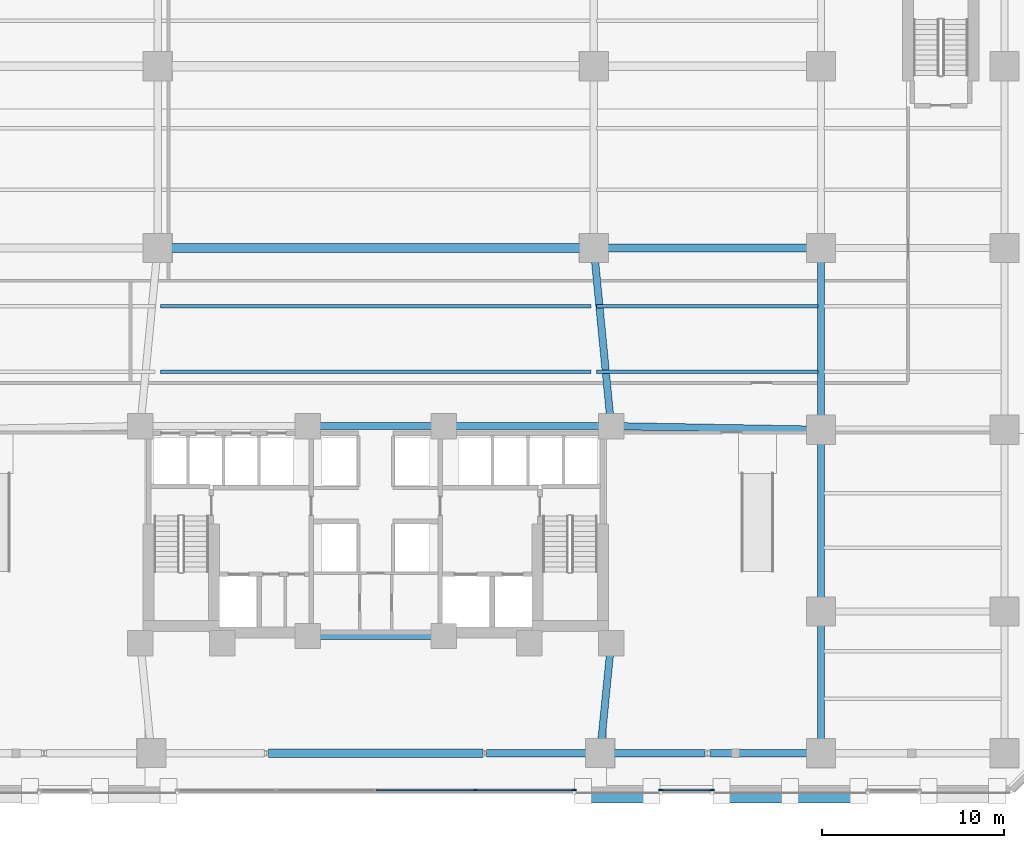
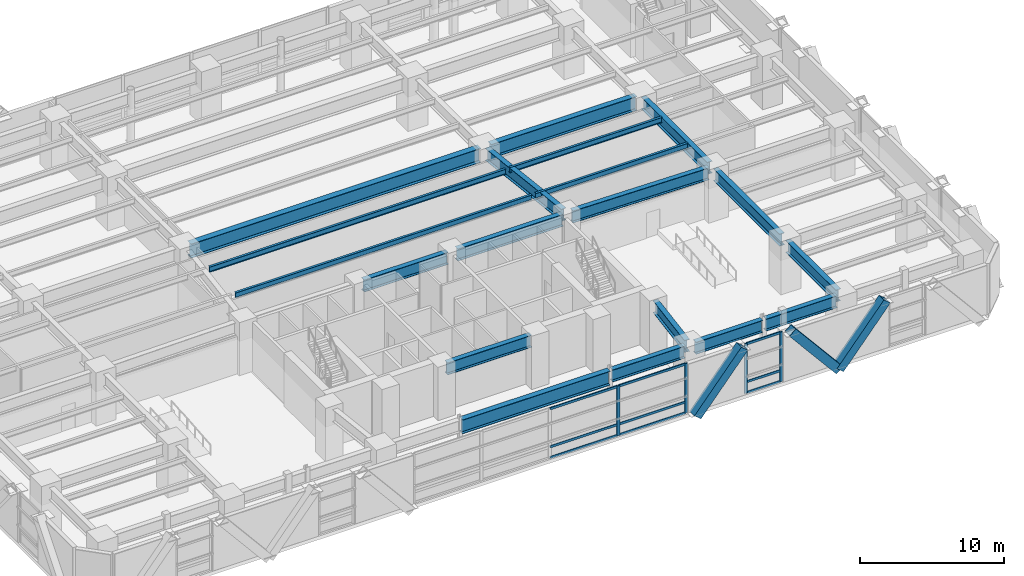
# One storey, part 7 of 26: 19 beams, 16 members, 2 elements without a shape of their own.
"""IFC4 building model written with IfcOpenShell, lengths in metres."""

from ifc_helpers import new_model, si_unit, direction, frame, origin, origin_2d, place, context, subcontext, project, spatial, rectangle, hollow_rectangle, i_section, extrude, material, material_profile, profile_set, type_object, element, aggregate, save


model = new_model("IFC4")

# Units and contexts
model_context = context("Model", 3, precision=1e-05, world=origin(), true_north=direction((0.0, 1.0)))
body_context = subcontext(model_context, "Body", "Model", "MODEL_VIEW")
ifc_project = project(units=[si_unit("LENGTHUNIT", "METRE"), si_unit("AREAUNIT", "SQUARE_METRE"), si_unit("VOLUMEUNIT", "CUBIC_METRE"), si_unit("PLANEANGLEUNIT", "RADIAN"), si_unit("MASSUNIT", "GRAM", prefix="KILO")], contexts=[model_context])

# Site, building, storey
site_placement = place(None, origin())
site = spatial("IfcSite", under=ifc_project, at=site_placement, CompositionType="ELEMENT")
building_placement = place(site_placement, origin())
building = spatial("IfcBuilding", under=site, at=building_placement, Name="Quenlor Broadcast Tower", CompositionType="ELEMENT")
storey_placement = place(building_placement, frame((0.0, 0.0, 5.0)))
storey = spatial("IfcBuildingStorey", under=building, at=storey_placement, Name="L01", CompositionType="ELEMENT", Elevation=5.0)

# Curtain wall, members
ifc_material_1 = material(Name="Architectural Terracotta and Low-E Glazing", Category="masonry")
curtain_wall_type = type_object("IfcCurtainWallType", Name="Station Concourse and Crown Terracotta Curtain Wall", PredefinedType="NOTDEFINED", material=ifc_material_1)
curtain_wall_1_placement = place(storey_placement, origin())
curtain_wall_1 = element("IfcCurtainWall", 1, at=curtain_wall_1_placement, inside=storey, type_object=curtain_wall_type, Name="L01 Curtain Wall CW6 (L01-S-FULL-G2)", PredefinedType="NOTDEFINED")
ifc_material_2 = material(Name="Aluminium 6063-T6", Category="aluminium")
ifc_material_profile_1 = material_profile(ifc_material_2, rectangle(XDim=0.08203125, YDim=0.239990234375, at=origin_2d()))
ifc_profile_set_1 = profile_set([ifc_material_profile_1], Name="Aluminium 6063-T6 MULL82x240")
member_type_1 = type_object("IfcMemberType", Name="CW6 Aluminium Mullion MULL_CW6", PredefinedType="MULLION", material=ifc_profile_set_1)
member_1_placement = place(storey_placement, frame((18.509521484375, -24.820068359375, 0.0), z_axis=(0.0, 0.0, 1.0), x_axis=(0.0, -1.0, 0.0)))
member_1 = element("IfcMember", 2, at=member_1_placement, type_object=member_type_1, Name="CW6 mullion 1", PredefinedType="MULLION", context=body_context, shape_type="SweptSolid", body=[
    extrude(rectangle(XDim=0.08203125, YDim=0.239990234375, at=origin_2d()), origin(), (0.0, 0.0, 1.0), 4.199951171875),
])
member_2_placement = place(storey_placement, frame((15.6904296875, -24.820068359375, 0.0), z_axis=(0.0, 0.0, 1.0), x_axis=(0.0, -1.0, 0.0)))
member_2 = element("IfcMember", 3, at=member_2_placement, type_object=member_type_1, Name="CW6 mullion 2", PredefinedType="MULLION", context=body_context, shape_type="SweptSolid", body=[
    extrude(rectangle(XDim=0.08203125, YDim=0.239990234375, at=origin_2d()), origin(), (0.0, 0.0, 1.0), 4.199951171875),
])

curtain_wall_2_placement = place(storey_placement, origin())
curtain_wall_2 = element("IfcCurtainWall", 4, at=curtain_wall_2_placement, inside=storey, type_object=curtain_wall_type, Name="L01 Curtain Wall CW6 (L01-S-FULL-G3)", PredefinedType="NOTDEFINED")
member_3_placement = place(storey_placement, frame((10.909423828125, -24.820068359375, 0.0), z_axis=(0.0, 0.0, 1.0), x_axis=(0.0, -1.0, 0.0)))
member_3 = element("IfcMember", 5, at=member_3_placement, type_object=member_type_1, Name="CW6 mullion 1", PredefinedType="MULLION", context=body_context, shape_type="SweptSolid", body=[
    extrude(rectangle(XDim=0.08203125, YDim=0.239990234375, at=origin_2d()), origin(), (0.0, 0.0, 1.0), 4.199951171875),
])
member_4_placement = place(storey_placement, frame((5.475341796875, -24.820068359375, 0.0), z_axis=(0.0, 0.0, 1.0), x_axis=(0.0, -1.0, 0.0)))
member_4 = element("IfcMember", 6, at=member_4_placement, type_object=member_type_1, Name="CW6 mullion 2", PredefinedType="MULLION", context=body_context, shape_type="SweptSolid", body=[
    extrude(rectangle(XDim=0.08203125, YDim=0.239990234375, at=origin_2d()), origin(), (0.0, 0.0, 1.0), 4.199951171875),
])

# Member
ifc_material_3 = material(Name="Aluminium 6063-T6", Category="aluminium")
ifc_material_profile_2 = material_profile(ifc_material_3, rectangle(XDim=0.08203125, YDim=0.195068359375, at=origin_2d()))
ifc_profile_set_2 = profile_set([ifc_material_profile_2], Name="Aluminium 6063-T6 TRAN82x195")
member_type_2 = type_object("IfcMemberType", Name="CW6 Aluminium Transom TRAN_CW6", PredefinedType="USERDEFINED", material=ifc_profile_set_2)
member_5_placement = place(storey_placement, frame((18.468505859375, -24.820068359375, 0.041015625), z_axis=(-1.0, 0.0, 0.0), x_axis=(0.0, -1.0, 0.0)))
member_5 = element("IfcMember", 7, at=member_5_placement, type_object=member_type_2, Name="CW6 transom 1.1", ObjectType="TRANSOM", PredefinedType="USERDEFINED", context=body_context, shape_type="SweptSolid", body=[
    extrude(rectangle(XDim=0.08203125, YDim=0.195068359375, at=origin_2d()), origin(), (0.0, 0.0, 1.0), 2.737060546875),
])

member_6_placement = place(storey_placement, frame((18.468505859375, -24.820068359375, 0.949951171875), z_axis=(-1.0, 0.0, 0.0), x_axis=(0.0, -1.0, 0.0)))
member_6 = element("IfcMember", 8, at=member_6_placement, type_object=member_type_2, Name="CW6 transom 1.2", ObjectType="TRANSOM", PredefinedType="USERDEFINED", context=body_context, shape_type="SweptSolid", body=[
    extrude(rectangle(XDim=0.08203125, YDim=0.195068359375, at=origin_2d()), origin(), (0.0, 0.0, 1.0), 2.737060546875),
])

member_7_placement = place(storey_placement, frame((18.468505859375, -24.820068359375, 4.158935546875), z_axis=(-1.0, 0.0, 0.0), x_axis=(0.0, -1.0, 0.0)))
member_7 = element("IfcMember", 9, at=member_7_placement, type_object=member_type_2, Name="CW6 transom 1.3", ObjectType="TRANSOM", PredefinedType="USERDEFINED", context=body_context, shape_type="SweptSolid", body=[
    extrude(rectangle(XDim=0.08203125, YDim=0.195068359375, at=origin_2d()), origin(), (0.0, 0.0, 1.0), 2.737060546875),
])

aggregate(curtain_wall_1, [member_1, member_2, member_5, member_6, member_7])

member_8_placement = place(storey_placement, frame((10.868408203125, -24.820068359375, 0.041015625), z_axis=(-1.0, 0.0, 0.0), x_axis=(0.0, -1.0, 0.0)))
member_8 = element("IfcMember", 10, at=member_8_placement, type_object=member_type_2, Name="CW6 transom 1.1", ObjectType="TRANSOM", PredefinedType="USERDEFINED", context=body_context, shape_type="SweptSolid", body=[
    extrude(rectangle(XDim=0.08203125, YDim=0.195068359375, at=origin_2d()), origin(), (0.0, 0.0, 1.0), 5.35205078125),
])

member_9_placement = place(storey_placement, frame((10.868408203125, -24.820068359375, 0.949951171875), z_axis=(-1.0, 0.0, 0.0), x_axis=(0.0, -1.0, 0.0)))
member_9 = element("IfcMember", 11, at=member_9_placement, type_object=member_type_2, Name="CW6 transom 1.2", ObjectType="TRANSOM", PredefinedType="USERDEFINED", context=body_context, shape_type="SweptSolid", body=[
    extrude(rectangle(XDim=0.08203125, YDim=0.195068359375, at=origin_2d()), origin(), (0.0, 0.0, 1.0), 5.35205078125),
])

member_10_placement = place(storey_placement, frame((10.868408203125, -24.820068359375, 4.158935546875), z_axis=(-1.0, 0.0, 0.0), x_axis=(0.0, -1.0, 0.0)))
member_10 = element("IfcMember", 12, at=member_10_placement, type_object=member_type_2, Name="CW6 transom 1.3", ObjectType="TRANSOM", PredefinedType="USERDEFINED", context=body_context, shape_type="SweptSolid", body=[
    extrude(rectangle(XDim=0.08203125, YDim=0.195068359375, at=origin_2d()), origin(), (0.0, 0.0, 1.0), 5.35205078125),
])

member_11_placement = place(storey_placement, frame((5.434326171875, -24.820068359375, 0.041015625), z_axis=(-1.0, 0.0, 0.0), x_axis=(0.0, -1.0, 0.0)))
member_11 = element("IfcMember", 13, at=member_11_placement, type_object=member_type_2, Name="CW6 transom 2.1", ObjectType="TRANSOM", PredefinedType="USERDEFINED", context=body_context, shape_type="SweptSolid", body=[
    extrude(rectangle(XDim=0.08203125, YDim=0.195068359375, at=origin_2d()), origin(), (0.0, 0.0, 1.0), 5.393310546875),
])

member_12_placement = place(storey_placement, frame((5.434326171875, -24.820068359375, 0.949951171875), z_axis=(-1.0, 0.0, 0.0), x_axis=(0.0, -1.0, 0.0)))
member_12 = element("IfcMember", 14, at=member_12_placement, type_object=member_type_2, Name="CW6 transom 2.2", ObjectType="TRANSOM", PredefinedType="USERDEFINED", context=body_context, shape_type="SweptSolid", body=[
    extrude(rectangle(XDim=0.08203125, YDim=0.195068359375, at=origin_2d()), origin(), (0.0, 0.0, 1.0), 5.393310546875),
])

member_13_placement = place(storey_placement, frame((5.434326171875, -24.820068359375, 4.158935546875), z_axis=(-1.0, 0.0, 0.0), x_axis=(0.0, -1.0, 0.0)))
member_13 = element("IfcMember", 15, at=member_13_placement, type_object=member_type_2, Name="CW6 transom 2.3", ObjectType="TRANSOM", PredefinedType="USERDEFINED", context=body_context, shape_type="SweptSolid", body=[
    extrude(rectangle(XDim=0.08203125, YDim=0.195068359375, at=origin_2d()), origin(), (0.0, 0.0, 1.0), 5.393310546875),
])

aggregate(curtain_wall_2, [member_3, member_4, member_8, member_9, member_10, member_11, member_12, member_13])

# Members
ifc_material_4 = material(Name="Steel S355", Category="steel")
ifc_material_profile_3 = material_profile(ifc_material_4, hollow_rectangle(XDim=0.679931640625, YDim=0.679931640625, WallThickness=0.034912109375, at=origin_2d()))
ifc_profile_set_3 = profile_set([ifc_material_profile_3], Name="Steel S355 RHS680x680x35")
member_type_3 = type_object("IfcMemberType", Name="Perimeter Diagonal Lattice Brace Z1 Steel S355 RHS680x35", PredefinedType="BRACE", material=ifc_profile_set_3)
for number, where, z_axis, x_axis, name in (
    (16, (22.82275390625, -25.215087890625, -0.1201171875), (0.640626831312, 0.0, 0.767852370578), (0.0, 1.0, 0.0), "L01 Podium Diamond Lattice S-P1B"),
    (17, (22.777099609375, -25.215087890625, -0.1201171875), (-0.640626831312, 0.0, 0.767852370578), (0.0, -1.0, 0.0), "L01 Podium Diamond Lattice S-P2S"),
    (18, (11.4228515625, -25.215087890625, -0.1201171875), (0.640626831312, 0.0, 0.767852370578), (0.0, 1.0, 0.0), "L01 Podium Diamond Lattice S-P2B"),
):
    element("IfcMember", number, at=place(storey_placement, frame(where, z_axis=z_axis, x_axis=x_axis)), inside=storey, type_object=member_type_3, Name=name, PredefinedType="BRACE", context=body_context, shape_type="SweptSolid", body=[
        extrude(hollow_rectangle(XDim=0.679931640625, YDim=0.679931640625, WallThickness=0.034912109375, at=origin_2d()), origin(), (0.0, 0.0, 1.0), 5.860595703125),
    ])

# Beams
ifc_material_5 = material(Name="Steel S355", Category="steel")
ifc_material_profile_4 = material_profile(ifc_material_5, i_section(OverallWidth=0.39990234375, OverallDepth=1.02392578125, WebThickness=0.01611328125, FlangeThickness=0.031982421875, FilletRadius=0.01611328125, at=origin_2d()))
ifc_profile_set_4 = profile_set([ifc_material_profile_4], Name="Steel S355 1000WB322")
beam_type_1 = type_object("IfcBeamType", Name="Podium Concourse Girder Steel S355 1000WB322", PredefinedType="BEAM", material=ifc_profile_set_4)
beam_1_placement = place(storey_placement, frame((6.10791015625, -22.800048828125, 3.68798828125), z_axis=(1.0, 0.0, 0.0), x_axis=(0.0, 1.0, 0.0)))
element("IfcBeam", 19, at=beam_1_placement, inside=storey, type_object=beam_type_1, Name="L01 Podium Girder 6", PredefinedType="BEAM", context=body_context, shape_type="SweptSolid", body=[
    extrude(i_section(OverallWidth=0.39990234375, OverallDepth=1.02392578125, WebThickness=0.01611328125, FlangeThickness=0.031982421875, FilletRadius=0.01611328125, at=origin_2d()), origin(), (0.0, 0.0, 1.0), 5.822021484375),
])
beam_2_placement = place(storey_placement, frame((12.77001953125, -22.800048828125, 3.68798828125), z_axis=(1.0, 0.0, 0.0), x_axis=(0.0, 1.0, 0.0)))
element("IfcBeam", 20, at=beam_2_placement, inside=storey, type_object=beam_type_1, Name="L01 Podium Girder 7", PredefinedType="BEAM", context=body_context, shape_type="SweptSolid", body=[
    extrude(i_section(OverallWidth=0.39990234375, OverallDepth=1.02392578125, WebThickness=0.01611328125, FlangeThickness=0.031982421875, FilletRadius=0.01611328125, at=origin_2d()), origin(), (0.0, 0.0, 1.0), 5.345458984375),
])
beam_3_placement = place(storey_placement, frame((18.384521484375, -22.800048828125, 3.68798828125), z_axis=(1.0, 0.0, 0.0), x_axis=(0.0, 1.0, 0.0)))
element("IfcBeam", 21, at=beam_3_placement, inside=storey, type_object=beam_type_1, Name="L01 Podium Girder 8", PredefinedType="BEAM", context=body_context, shape_type="SweptSolid", body=[
    extrude(i_section(OverallWidth=0.39990234375, OverallDepth=1.02392578125, WebThickness=0.01611328125, FlangeThickness=0.031982421875, FilletRadius=0.01611328125, at=origin_2d()), origin(), (0.0, 0.0, 1.0), 5.695556640625),
])
beam_4_placement = place(storey_placement, frame((24.5, -22.3798828125, 3.68798828125), z_axis=(0.0, 1.0, 0.0), x_axis=(-1.0, 0.0, 0.0)))
element("IfcBeam", 22, at=beam_4_placement, inside=storey, type_object=beam_type_1, Name="L01 Podium Girder 44", PredefinedType="BEAM", context=body_context, shape_type="SweptSolid", body=[
    extrude(i_section(OverallWidth=0.39990234375, OverallDepth=1.02392578125, WebThickness=0.01611328125, FlangeThickness=0.031982421875, FilletRadius=0.01611328125, at=origin_2d()), origin(), (0.0, 0.0, 1.0), 6.9599609375),
])
for number, where, z_axis, x_axis, name in (
    (23, (24.5, -14.580078125, 3.68798828125), (0.0, 1.0, 0.0), (-1.0, 0.0, 0.0), "L01 Podium Girder 45"),
    (24, (24.5, -4.580078125, 3.68798828125), (0.0, 1.0, 0.0), (-1.0, 0.0, 0.0), "L01 Podium Girder 46"),
):
    element("IfcBeam", number, at=place(storey_placement, frame(where, z_axis=z_axis, x_axis=x_axis)), inside=storey, type_object=beam_type_1, Name=name, PredefinedType="BEAM", context=body_context, shape_type="SweptSolid", body=[
        extrude(i_section(OverallWidth=0.39990234375, OverallDepth=1.02392578125, WebThickness=0.01611328125, FlangeThickness=0.031982421875, FilletRadius=0.01611328125, at=origin_2d()), origin(), (0.0, 0.0, 1.0), 9.16015625),
    ])
beam_5_placement = place(storey_placement, frame((12.913330078125, -4.421875, 3.68798828125), z_axis=(-0.096489068192, 0.995334044288, 0.0), x_axis=(-0.995334044288, -0.096489068192, 0.0)))
element("IfcBeam", 25, at=beam_5_placement, inside=storey, type_object=beam_type_1, Name="L01 Podium Concourse Girder 2", PredefinedType="BEAM", context=body_context, shape_type="SweptSolid", body=[
    extrude(i_section(OverallWidth=0.39990234375, OverallDepth=1.02392578125, WebThickness=0.01611328125, FlangeThickness=0.031982421875, FilletRadius=0.01611328125, at=origin_2d()), origin(), (0.0, 0.0, 1.0), 9.086181640625),
])
beam_6_placement = place(storey_placement, frame((12.91259765625, -17.128173828125, 3.68798828125), z_axis=(-0.098717586069, -0.995115489881, 0.0), x_axis=(0.995115489881, -0.098717586069, 0.0)))
element("IfcBeam", 26, at=beam_6_placement, inside=storey, type_object=beam_type_1, Name="L01 Podium Concourse Girder 4", PredefinedType="BEAM", context=body_context, shape_type="SweptSolid", body=[
    extrude(i_section(OverallWidth=0.39990234375, OverallDepth=1.02392578125, WebThickness=0.01611328125, FlangeThickness=0.031982421875, FilletRadius=0.01611328125, at=origin_2d()), origin(), (0.0, 0.0, 1.0), 5.319580078125),
])
beam_7_placement = place(storey_placement, frame((13.329833984375, -4.806640625, 3.68798828125), z_axis=(0.999850235211, -0.017306274859, 0.0), x_axis=(0.017306274859, 0.999850235211, 0.0)))
element("IfcBeam", 27, at=beam_7_placement, inside=storey, type_object=beam_type_1, Name="L01 Podium Concourse Girder 6", PredefinedType="BEAM", context=body_context, shape_type="SweptSolid", body=[
    extrude(i_section(OverallWidth=0.39990234375, OverallDepth=1.02392578125, WebThickness=0.01611328125, FlangeThickness=0.031982421875, FilletRadius=0.01611328125, at=origin_2d()), origin(), (0.0, 0.0, 1.0), 10.7919921875),
])
for number, where, z_axis, x_axis, name in (
    (28, (-3.3701171875, -4.800048828125, 3.68798828125), (1.0, 0.0, 0.0), (0.0, 1.0, 0.0), "L01 Podium Concourse Girder 7"),
    (29, (-3.3701171875, -16.35009765625, 3.68798828125), (1.0, 0.0, 0.0), (0.0, 1.0, 0.0), "L01 Podium Concourse Girder 8"),
):
    element("IfcBeam", number, at=place(storey_placement, frame(where, z_axis=z_axis, x_axis=x_axis)), inside=storey, type_object=beam_type_1, Name=name, PredefinedType="BEAM", context=body_context, shape_type="SweptSolid", body=[
        extrude(i_section(OverallWidth=0.39990234375, OverallDepth=1.02392578125, WebThickness=0.01611328125, FlangeThickness=0.031982421875, FilletRadius=0.01611328125, at=origin_2d()), origin(), (0.0, 0.0, 1.0), 6.740234375),
    ])
beam_8_placement = place(storey_placement, frame((4.1298828125, -4.800048828125, 3.68798828125), z_axis=(1.0, 0.0, 0.0), x_axis=(0.0, 1.0, 0.0)))
element("IfcBeam", 30, at=beam_8_placement, inside=storey, type_object=beam_type_1, Name="L01 Podium Concourse Girder 10", PredefinedType="BEAM", context=body_context, shape_type="SweptSolid", body=[
    extrude(i_section(OverallWidth=0.39990234375, OverallDepth=1.02392578125, WebThickness=0.01611328125, FlangeThickness=0.031982421875, FilletRadius=0.01611328125, at=origin_2d()), origin(), (0.0, 0.0, 1.0), 8.440185546875),
])
ifc_material_6 = material(Name="Steel S355", Category="steel")
ifc_material_profile_5 = material_profile(ifc_material_6, i_section(OverallWidth=0.18994140625, OverallDepth=0.453857421875, WebThickness=0.008544921875, FlangeThickness=0.0126953125, FilletRadius=0.011474609375, at=origin_2d()))
ifc_profile_set_5 = profile_set([ifc_material_profile_5], Name="Steel S355 460UB67.1")
beam_type_2 = type_object("IfcBeamType", Name="Podium Floor Joist Steel S355 460UB67.1", PredefinedType="JOIST", material=ifc_profile_set_5)
beam_9_placement = place(storey_placement, frame((-11.840087890625, -1.800048828125, 3.97314453125), z_axis=(1.0, 0.0, 0.0), x_axis=(0.0, 1.0, 0.0)))
element("IfcBeam", 31, at=beam_9_placement, inside=storey, type_object=beam_type_2, Name="L01 Podium Floor Joist 34", PredefinedType="JOIST", context=body_context, shape_type="SweptSolid", body=[
    extrude(i_section(OverallWidth=0.18994140625, OverallDepth=0.453857421875, WebThickness=0.008544921875, FlangeThickness=0.0126953125, FilletRadius=0.011474609375, at=origin_2d()), origin(), (0.0, 0.0, 1.0), 23.68017578125),
])
beam_10_placement = place(storey_placement, frame((12.159912109375, -1.800048828125, 3.97314453125), z_axis=(1.0, 0.0, 0.0), x_axis=(0.0, 1.0, 0.0)))
element("IfcBeam", 32, at=beam_10_placement, inside=storey, type_object=beam_type_2, Name="L01 Podium Floor Joist 35", PredefinedType="JOIST", context=body_context, shape_type="SweptSolid", body=[
    extrude(i_section(OverallWidth=0.18994140625, OverallDepth=0.453857421875, WebThickness=0.008544921875, FlangeThickness=0.0126953125, FilletRadius=0.011474609375, at=origin_2d()), origin(), (0.0, 0.0, 1.0), 12.18017578125),
])
beam_11_placement = place(storey_placement, frame((-11.840087890625, 1.800048828125, 3.97314453125), z_axis=(1.0, 0.0, 0.0), x_axis=(0.0, 1.0, 0.0)))
element("IfcBeam", 33, at=beam_11_placement, inside=storey, type_object=beam_type_2, Name="L01 Podium Floor Joist 37", PredefinedType="JOIST", context=body_context, shape_type="SweptSolid", body=[
    extrude(i_section(OverallWidth=0.18994140625, OverallDepth=0.453857421875, WebThickness=0.008544921875, FlangeThickness=0.0126953125, FilletRadius=0.011474609375, at=origin_2d()), origin(), (0.0, 0.0, 1.0), 23.68017578125),
])
beam_12_placement = place(storey_placement, frame((12.159912109375, 1.800048828125, 3.97314453125), z_axis=(1.0, 0.0, 0.0), x_axis=(0.0, 1.0, 0.0)))
element("IfcBeam", 34, at=beam_12_placement, inside=storey, type_object=beam_type_2, Name="L01 Podium Floor Joist 38", PredefinedType="JOIST", context=body_context, shape_type="SweptSolid", body=[
    extrude(i_section(OverallWidth=0.18994140625, OverallDepth=0.453857421875, WebThickness=0.008544921875, FlangeThickness=0.0126953125, FilletRadius=0.011474609375, at=origin_2d()), origin(), (0.0, 0.0, 1.0), 12.18017578125),
])
ifc_material_7 = material(Name="Steel S355", Category="steel")
ifc_material_profile_6 = material_profile(ifc_material_7, i_section(OverallWidth=0.5, OverallDepth=1.199951171875, WebThickness=0.02001953125, FlangeThickness=0.035888671875, FilletRadius=0.01611328125, at=origin_2d()))
ifc_profile_set_6 = profile_set([ifc_material_profile_6], Name="Steel S355 1200WB455")
beam_type_3 = type_object("IfcBeamType", Name="Podium Long Span Studio Girder Steel S355 1200WB455", PredefinedType="BEAM", material=ifc_profile_set_6)
beam_13_placement = place(storey_placement, frame((-11.580078125, 5.0, 3.60009765625), z_axis=(1.0, 0.0, 0.0), x_axis=(0.0, 1.0, 0.0)))
element("IfcBeam", 35, at=beam_13_placement, inside=storey, type_object=beam_type_3, Name="L01 Podium Girder 16", PredefinedType="BEAM", context=body_context, shape_type="SweptSolid", body=[
    extrude(i_section(OverallWidth=0.5, OverallDepth=1.199951171875, WebThickness=0.02001953125, FlangeThickness=0.035888671875, FilletRadius=0.01611328125, at=origin_2d()), origin(), (0.0, 0.0, 1.0), 23.16015625),
])
ifc_material_8 = material(Name="Steel S355", Category="steel")
ifc_material_profile_7 = material_profile(ifc_material_8, i_section(OverallWidth=0.449951171875, OverallDepth=1.18798828125, WebThickness=0.01806640625, FlangeThickness=0.031982421875, FilletRadius=0.01611328125, at=origin_2d()))
ifc_profile_set_7 = profile_set([ifc_material_profile_7], Name="Steel S355 1200WB392")
beam_type_4 = type_object("IfcBeamType", Name="Podium Secondary Studio Girder Steel S355 1200WB392", PredefinedType="BEAM", material=ifc_profile_set_7)
beam_14_placement = place(storey_placement, frame((-5.89208984375, -22.800048828125, 3.60595703125), z_axis=(1.0, 0.0, 0.0), x_axis=(0.0, 1.0, 0.0)))
element("IfcBeam", 36, at=beam_14_placement, inside=storey, type_object=beam_type_4, Name="L01 Podium Girder 5", PredefinedType="BEAM", context=body_context, shape_type="SweptSolid", body=[
    extrude(i_section(OverallWidth=0.449951171875, OverallDepth=1.18798828125, WebThickness=0.01806640625, FlangeThickness=0.031982421875, FilletRadius=0.01611328125, at=origin_2d()), origin(), (0.0, 0.0, 1.0), 11.7841796875),
])
beam_15_placement = place(storey_placement, frame((12.419921875, 5.0, 3.60595703125), z_axis=(1.0, 0.0, 0.0), x_axis=(0.0, 1.0, 0.0)))
element("IfcBeam", 37, at=beam_15_placement, inside=storey, type_object=beam_type_4, Name="L01 Podium Girder 17", PredefinedType="BEAM", context=body_context, shape_type="SweptSolid", body=[
    extrude(i_section(OverallWidth=0.449951171875, OverallDepth=1.18798828125, WebThickness=0.01806640625, FlangeThickness=0.031982421875, FilletRadius=0.01611328125, at=origin_2d()), origin(), (0.0, 0.0, 1.0), 11.66015625),
])

save(model, "model.ifc")
